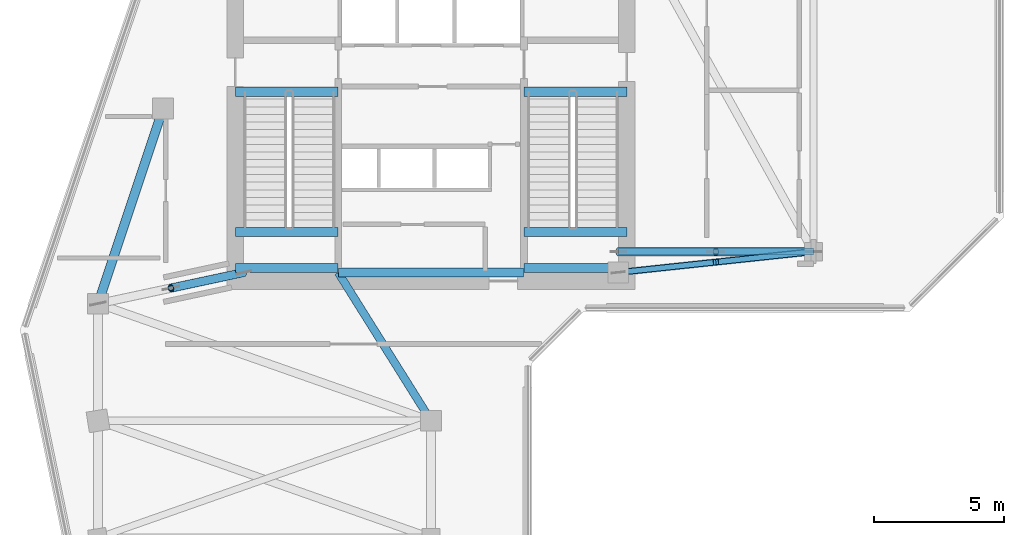
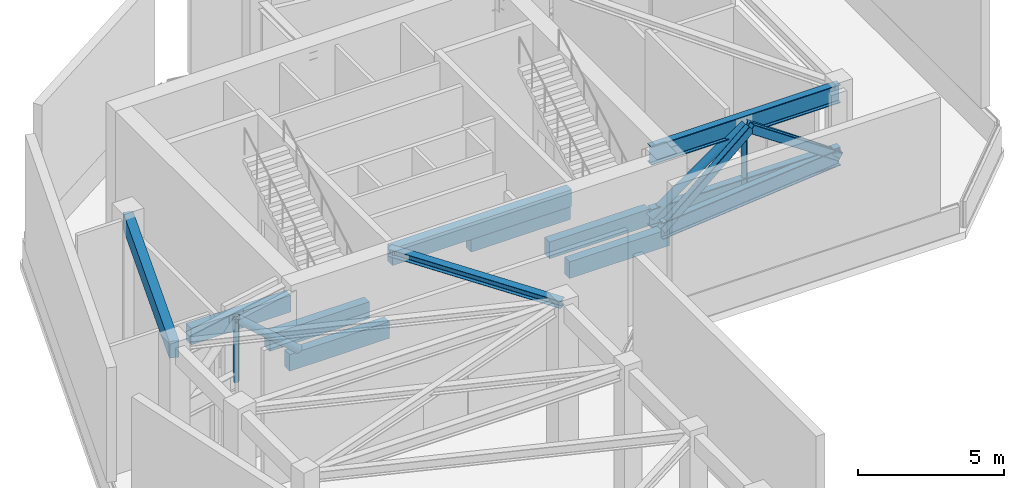
# One storey, part 2 of 10: 12 beams, 7 members.
"""IFC4 building model written with IfcOpenShell, lengths in metres."""

from ifc_helpers import new_model, si_unit, direction, frame, origin, origin_2d, place, context, subcontext, project, spatial, rectangle, hollow_rectangle, hollow_circle, i_section, extrude, source, transform, mapped, material, material_profile, profile_set, type_object, element, save


model = new_model("IFC4")

# Units and contexts
model_context = context("Model", 3, precision=1e-05, world=origin(), true_north=direction((0.0, 1.0)))
body_context = subcontext(model_context, "Body", "Model", "MODEL_VIEW")
ifc_project = project(units=[si_unit("LENGTHUNIT", "METRE"), si_unit("AREAUNIT", "SQUARE_METRE"), si_unit("VOLUMEUNIT", "CUBIC_METRE"), si_unit("PLANEANGLEUNIT", "RADIAN"), si_unit("MASSUNIT", "GRAM", prefix="KILO")], contexts=[model_context])

# Site, building, storey
site_placement = place(None, origin())
site = spatial("IfcSite", under=ifc_project, at=site_placement, CompositionType="ELEMENT")
building_placement = place(site_placement, origin())
building = spatial("IfcBuilding", under=site, at=building_placement, Name="Calvemar Wedge Station Tower", CompositionType="ELEMENT")
storey_placement = place(building_placement, frame((0.0, 0.0, 242.89990234375)))
storey = spatial("IfcBuildingStorey", under=building, at=storey_placement, Name="L62", CompositionType="ELEMENT", Elevation=242.89990234375)

# Beams
ifc_material_1 = material(Name="Concrete C70", Category="concrete")
ifc_material_profile_1 = material_profile(ifc_material_1, rectangle(XDim=0.35009765625, YDim=0.699951171875, at=origin_2d()), Name="RC350x700")
ifc_profile_set_1 = profile_set([ifc_material_profile_1], Name="Concrete C70")
beam_type_1 = type_object("IfcBeamType", Name="BM-LN1-700", PredefinedType="LINTEL", material=ifc_profile_set_1)
shared_shape_1 = source(origin(), body_context, "Body", "SweptSolid", [
    extrude(rectangle(XDim=0.35009765625, YDim=0.699951171875, at=origin_2d()), origin(), (0.0, 0.0, 1.0), 7.10009765625),
])
beam_1_placement = place(storey_placement, frame((20.25, 34.199951171875, 5.800048828125), z_axis=(1.0, 0.0, 0.0), x_axis=(0.0, 1.0, 0.0)))
element("IfcBeam", 1, at=beam_1_placement, inside=storey, type_object=beam_type_1, Name="Storey L62 Core Coupling Lintel South", PredefinedType="LINTEL", context=body_context, shape_type="MappedRepresentation", body=[
    mapped(shared_shape_1, transform((0.0, 0.0, 0.0), scale=1.0)),
])
ifc_material_2 = material(Name="Structural steel ASTM A572 Grade 50", Category="steel")
ifc_material_profile_2 = material_profile(ifc_material_2, i_section(OverallWidth=0.304931640625, OverallDepth=0.30810546875, WebThickness=0.010009765625, FlangeThickness=0.015380859375, FilletRadius=0.014892578125, at=origin_2d()), Name="W310x97")
ifc_profile_set_2 = profile_set([ifc_material_profile_2], Name="Structural steel ASTM A572 Grade 50")
beam_type_2 = type_object("IfcBeamType", Name="BM-J6-W310", PredefinedType="JOIST", material=ifc_profile_set_2)
shared_shape_2 = source(origin(), body_context, "Body", "SweptSolid", [
    extrude(i_section(OverallWidth=0.304931640625, OverallDepth=0.30810546875, WebThickness=0.010009765625, FlangeThickness=0.015380859375, FilletRadius=0.014892578125, at=origin_2d()), origin(), (0.0, 0.0, 1.0), 6.7255859375),
])
beam_2_placement = place(storey_placement, frame((20.22998046875, 34.199951171875, 5.99609375), z_axis=(0.530811158438, -0.847490126242, 0.0), x_axis=(0.847490126242, 0.530811158438, 0.0)))
element("IfcBeam", 2, at=beam_2_placement, inside=storey, type_object=beam_type_2, Name="Storey L62 Core-to-Column Joist CJ-S2", PredefinedType="JOIST", context=body_context, shape_type="MappedRepresentation", body=[
    mapped(shared_shape_2, transform((0.0, 0.0, 0.0), scale=1.0)),
])
ifc_material_profile_3 = material_profile(ifc_material_2, i_section(OverallWidth=0.27001953125, OverallDepth=0.77294921875, WebThickness=0.018798828125, FlangeThickness=0.0322265625, FilletRadius=0.01806640625, at=origin_2d()), Name="W760x257")
ifc_profile_set_3 = profile_set([ifc_material_profile_3], Name="Structural steel ASTM A572 Grade 50")
beam_type_3 = type_object("IfcBeamType", Name="BM-OT1-W760", PredefinedType="BEAM", material=ifc_profile_set_3)
shared_shape_3 = source(origin(), body_context, "Body", "SweptSolid", [
    extrude(i_section(OverallWidth=0.27001953125, OverallDepth=0.77294921875, WebThickness=0.018798828125, FlangeThickness=0.0322265625, FilletRadius=0.01806640625, at=origin_2d()), origin(), (0.0, 0.0, 1.0), 7.5),
])
for number, where, z_axis, x_axis, name in (
    (3, (31.0, 35.0, 3.13671875), (1.0, 0.0, 0.0), (0.0, 1.0, 0.0), "L62 Outrigger OT-E Bottom Chord"),
    (4, (31.0, 35.0, 5.763671875), (1.0, 0.0, 0.0), (0.0, 1.0, 0.0), "L62 Outrigger OT-E Top Chord"),
):
    element("IfcBeam", number, at=place(storey_placement, frame(where, z_axis=z_axis, x_axis=x_axis)), inside=storey, type_object=beam_type_3, Name=name, PredefinedType="BEAM", context=body_context, shape_type="MappedRepresentation", body=[
        mapped(shared_shape_3, transform((0.0, 0.0, 0.0), scale=1.0)),
    ])
ifc_material_profile_4 = material_profile(ifc_material_2, i_section(OverallWidth=0.25390625, OverallDepth=0.68798828125, WebThickness=0.015380859375, FlangeThickness=0.02783203125, FilletRadius=0.014892578125, at=origin_2d()), Name="W690x192")
ifc_profile_set_4 = profile_set([ifc_material_profile_4], Name="Structural steel ASTM A572 Grade 50")
beam_type_4 = type_object("IfcBeamType", Name="BM-BT1-W690", PredefinedType="BEAM", material=ifc_profile_set_4)
shared_shape_4 = source(origin(), body_context, "Body", "SweptSolid", [
    extrude(i_section(OverallWidth=0.25390625, OverallDepth=0.68798828125, WebThickness=0.015380859375, FlangeThickness=0.02783203125, FilletRadius=0.014892578125, at=origin_2d()), origin(), (0.0, 0.0, 1.0), 7.54248046875),
])
beam_3_placement = place(storey_placement, frame((31.0, 34.199951171875, 3.093994140625), z_axis=(0.994358517773, 0.106071382251, 0.0), x_axis=(-0.106071382251, 0.994358517773, 0.0)))
element("IfcBeam", 5, at=beam_3_placement, inside=storey, type_object=beam_type_4, Name="L62 Belt Truss Bottom Chord 4", PredefinedType="BEAM", context=body_context, shape_type="MappedRepresentation", body=[
    mapped(shared_shape_4, transform((0.0, 0.0, 0.0), scale=1.0)),
])
shared_shape_5 = source(origin(), body_context, "Body", "SweptSolid", [
    extrude(rectangle(XDim=0.35009765625, YDim=0.699951171875, at=origin_2d()), origin(), (0.0, 0.0, 1.0), 3.955078125),
])
for number, where, z_axis, x_axis, name in (
    (6, (16.27490234375, 41.14990234375, -0.349853515625), (1.0, 0.0, 0.0), (0.0, 1.0, 0.0), "Storey L62 Stair ST-C1 Landing Trimmer Beam"),
    (7, (16.27490234375, 34.3798828125, 2.650146484375), (1.0, 0.0, 0.0), (0.0, 1.0, 0.0), "Storey L62 Stair ST-C1 Half-Landing Beam 1A"),
    (8, (16.27490234375, 35.75, 2.650146484375), (1.0, 0.0, 0.0), (0.0, 1.0, 0.0), "Storey L62 Stair ST-C1 Half-Landing Beam 1B"),
):
    element("IfcBeam", number, at=place(storey_placement, frame(where, z_axis=z_axis, x_axis=x_axis)), inside=storey, type_object=beam_type_1, Name=name, PredefinedType="LINTEL", context=body_context, shape_type="MappedRepresentation", body=[
        mapped(shared_shape_5, transform((0.0, 0.0, 0.0), scale=1.0)),
    ])
shared_shape_6 = source(origin(), body_context, "Body", "SweptSolid", [
    extrude(rectangle(XDim=0.35009765625, YDim=0.699951171875, at=origin_2d()), origin(), (0.0, 0.0, 1.0), 3.954833984375),
])
for number, where, z_axis, x_axis, name in (
    (9, (27.3701171875, 41.14990234375, -0.349853515625), (1.0, 0.0, 0.0), (0.0, 1.0, 0.0), "Storey L62 Stair ST-C2 Landing Trimmer Beam"),
    (10, (27.3701171875, 34.3798828125, 2.650146484375), (1.0, 0.0, 0.0), (0.0, 1.0, 0.0), "Storey L62 Stair ST-C2 Half-Landing Beam 1A"),
    (11, (27.3701171875, 35.75, 2.650146484375), (1.0, 0.0, 0.0), (0.0, 1.0, 0.0), "Storey L62 Stair ST-C2 Half-Landing Beam 1B"),
):
    element("IfcBeam", number, at=place(storey_placement, frame(where, z_axis=z_axis, x_axis=x_axis)), inside=storey, type_object=beam_type_1, Name=name, PredefinedType="LINTEL", context=body_context, shape_type="MappedRepresentation", body=[
        mapped(shared_shape_6, transform((0.0, 0.0, 0.0), scale=1.0)),
    ])
ifc_material_3 = material(Name="Concrete C50", Category="concrete")
ifc_material_profile_5 = material_profile(ifc_material_3, rectangle(XDim=0.35009765625, YDim=0.699951171875, at=origin_2d()), Name="RC350x700")
ifc_profile_set_5 = profile_set([ifc_material_profile_5], Name="Concrete C50")
beam_type_5 = type_object("IfcBeamType", Name="BM-SP2-700", PredefinedType="SPANDREL", material=ifc_profile_set_5)
shared_shape_7 = source(origin(), body_context, "Body", "SweptSolid", [
    extrude(rectangle(XDim=0.35009765625, YDim=0.699951171875, at=origin_2d()), origin(), (0.0, 0.0, 1.0), 7.90576171875),
])
beam_4_placement = place(storey_placement, frame((11.0, 33.0, 5.800048828125), z_axis=(0.316227766017, 0.948683298051, 0.0), x_axis=(-0.948683298051, 0.316227766017, 0.0)))
element("IfcBeam", 12, at=beam_4_placement, inside=storey, type_object=beam_type_5, Name="Storey L62 Spandrel T-NW1-T-NW2", PredefinedType="SPANDREL", context=body_context, shape_type="MappedRepresentation", body=[
    mapped(shared_shape_7, transform((0.0, 0.0, 0.0), scale=1.0)),
])

# Members
ifc_material_profile_6 = material_profile(ifc_material_2, hollow_circle(Radius=0.161865234375, WallThickness=0.01611328125, at=origin_2d()), Name="CHS323.9x16")
ifc_profile_set_6 = profile_set([ifc_material_profile_6], Name="Structural steel ASTM A572 Grade 50")
member_type_1 = type_object("IfcMemberType", Name="MEM-D5-CHS323", PredefinedType="BRACE", material=ifc_profile_set_6)
shared_shape_8 = source(origin(), body_context, "Body", "SweptSolid", [
    extrude(hollow_circle(Radius=0.161865234375, WallThickness=0.01611328125, at=origin_2d()), origin(), (0.0, 0.0, 1.0), 4.57861328125),
])
for number, where, z_axis, x_axis, name in (
    (13, (31.0, 35.0, 3.13671875), (0.819031464305, 0.0, 0.573748603901), (0.0, 1.0, 0.0), "L62 Outrigger OT-E Diagonal 1"),
    (14, (34.75, 35.0, 5.763671875), (0.819031464305, 0.0, -0.573748603901), (0.0, 1.0, 0.0), "L62 Outrigger OT-E Diagonal 2"),
):
    element("IfcMember", number, at=place(storey_placement, frame(where, z_axis=z_axis, x_axis=x_axis)), inside=storey, type_object=member_type_1, Name=name, PredefinedType="BRACE", context=body_context, shape_type="MappedRepresentation", body=[
        mapped(shared_shape_8, transform((0.0, 0.0, 0.0), scale=1.0)),
    ])
ifc_material_profile_7 = material_profile(ifc_material_2, hollow_circle(Radius=0.109619140625, WallThickness=0.012451171875, at=origin_2d()), Name="CHS219.1x12.5")
ifc_profile_set_7 = profile_set([ifc_material_profile_7], Name="Structural steel ASTM A572 Grade 50")
member_type_2 = type_object("IfcMemberType", Name="MEM-ST3-CHS219", PredefinedType="STRUT", material=ifc_profile_set_7)
shared_shape_9 = source(origin(), body_context, "Body", "SweptSolid", [
    extrude(hollow_circle(Radius=0.109619140625, WallThickness=0.012451171875, at=origin_2d()), origin(), (0.0, 0.0, 1.0), 2.626953125),
])
for number, where, z_axis, x_axis, name in (
    (15, (34.75, 35.0, 3.13671875), (0.0, 0.0, 1.0), (1.0, 0.0, 0.0), "L62 Outrigger OT-E Strut"),
    (16, (13.800048828125, 33.60009765625, 3.13671875), (0.0, 0.0, 1.0), (1.0, 0.0, 0.0), "L62 Outrigger OT-W Strut"),
):
    element("IfcMember", number, at=place(storey_placement, frame(where, z_axis=z_axis, x_axis=x_axis)), inside=storey, type_object=member_type_2, Name=name, PredefinedType="STRUT", context=body_context, shape_type="MappedRepresentation", body=[
        mapped(shared_shape_9, transform((0.0, 0.0, 0.0), scale=1.0)),
    ])
shared_shape_10 = source(origin(), body_context, "Body", "SweptSolid", [
    extrude(hollow_circle(Radius=0.161865234375, WallThickness=0.01611328125, at=origin_2d()), origin(), (0.0, 0.0, 1.0), 3.885986328125),
])
member_placement = place(storey_placement, frame((16.60009765625, 34.199951171875, 3.13671875), z_axis=(-0.720548192053, -0.154362796048, 0.676004755993), x_axis=(0.209476686507, -0.977813641657, 0.0)))
element("IfcMember", 17, at=member_placement, inside=storey, type_object=member_type_1, Name="L62 Outrigger OT-W Diagonal 1", PredefinedType="BRACE", context=body_context, shape_type="MappedRepresentation", body=[
    mapped(shared_shape_10, transform((0.0, 0.0, 0.0), scale=1.0)),
])
ifc_material_profile_8 = material_profile(ifc_material_2, hollow_rectangle(XDim=0.25, YDim=0.35009765625, WallThickness=0.01611328125, InnerFilletRadius=0.01611328125, OuterFilletRadius=0.031982421875, at=origin_2d()), Name="HSS350x250x16")
ifc_profile_set_8 = profile_set([ifc_material_profile_8], Name="Structural steel ASTM A572 Grade 50")
member_type_3 = type_object("IfcMemberType", Name="MEM-D7-HSS350", PredefinedType="BRACE", material=ifc_profile_set_8)
shared_shape_11 = source(origin(), body_context, "Body", "SweptSolid", [
    extrude(hollow_rectangle(XDim=0.25, YDim=0.35009765625, WallThickness=0.01611328125, InnerFilletRadius=0.01611328125, OuterFilletRadius=0.031982421875, at=origin_2d()), origin(), (0.0, 0.0, 1.0), 4.645263671875),
])
for number, where, z_axis, x_axis, name in (
    (18, (31.0, 34.199951171875, 3.093994140625), (0.807274907517, 0.086140857645, 0.583855270026), (-0.106103386345, 0.994355103273, 0.0), "L62 Belt Truss Chevron 4A"),
    (19, (34.75, 34.60009765625, 5.80615234375), (0.807278561204, 0.086088690316, -0.583857912527), (-0.106039377826, 0.994361931266, 0.0), "L62 Belt Truss Chevron 4B"),
):
    element("IfcMember", number, at=place(storey_placement, frame(where, z_axis=z_axis, x_axis=x_axis)), inside=storey, type_object=member_type_3, Name=name, PredefinedType="BRACE", context=body_context, shape_type="MappedRepresentation", body=[
        mapped(shared_shape_11, transform((0.0, 0.0, 0.0), scale=1.0)),
    ])

save(model, "model.ifc")
